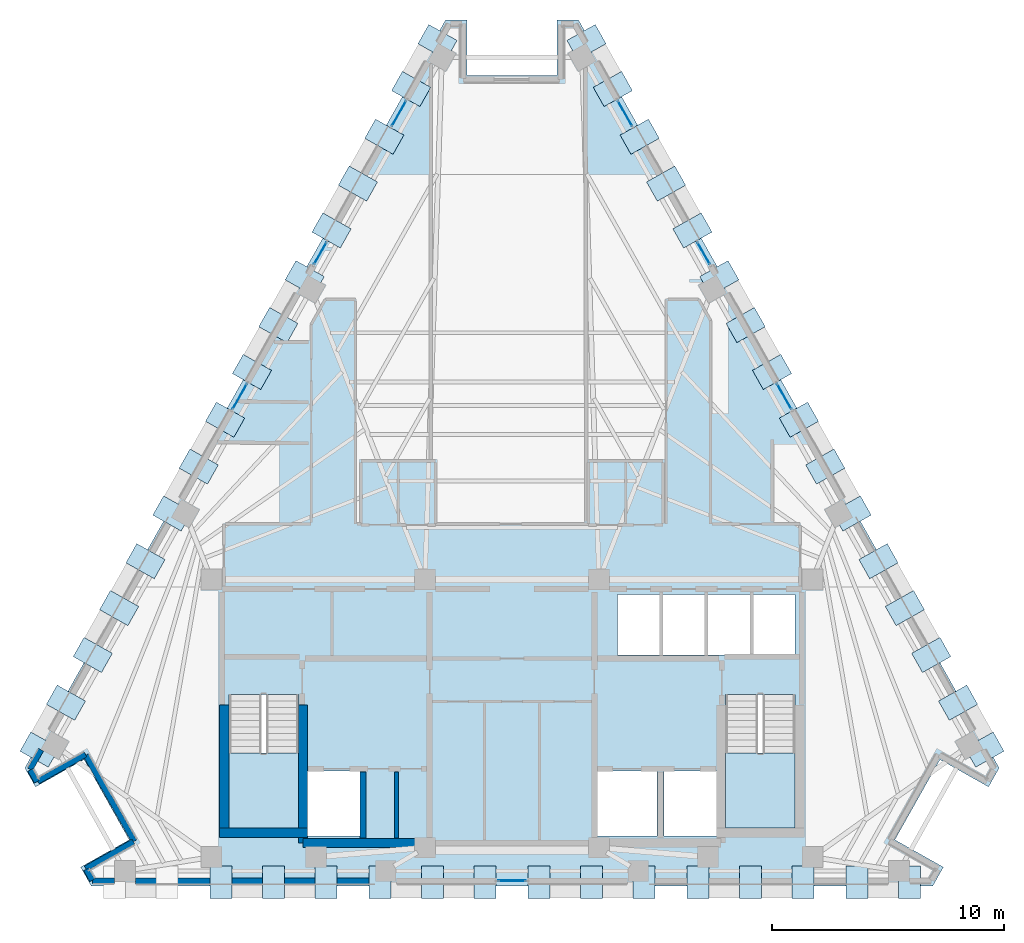
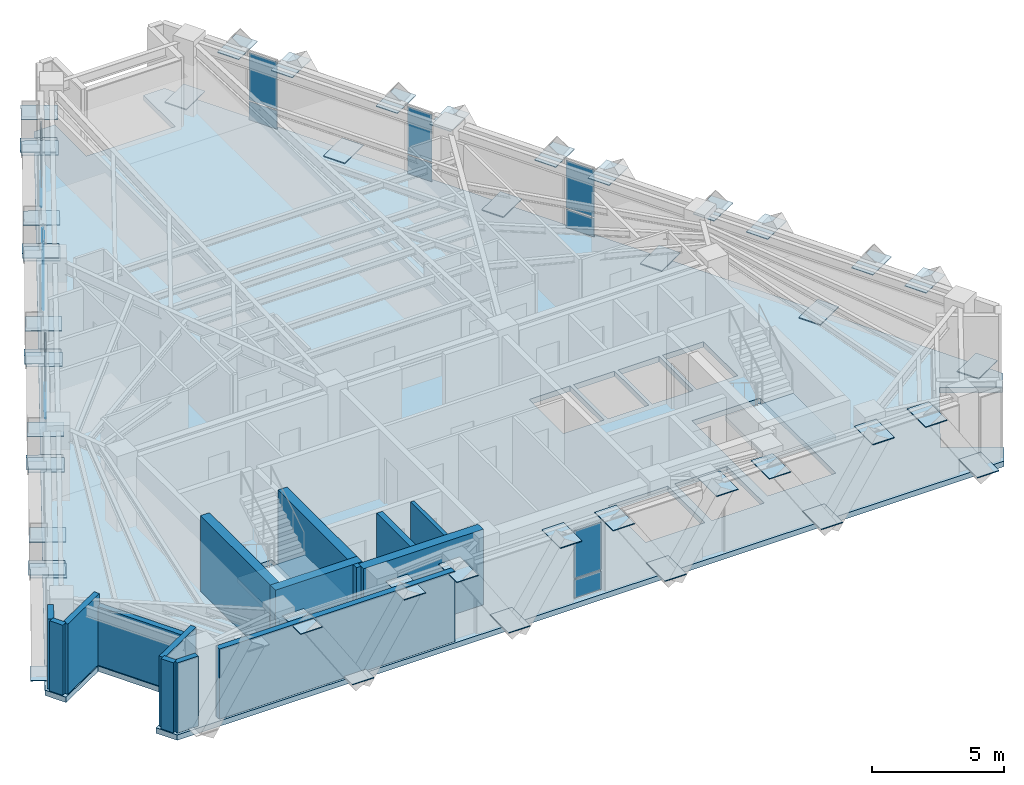
# One storey, part 6 of 12: 60 plates, 14 walls, 3 slabs, 9 elements without a shape of their own.
"""IFC4 building model written with IfcOpenShell, lengths in metres."""

from ifc_helpers import new_model, si_unit, direction, frame, frame_2d, origin, origin_2d, place, context, subcontext, project, spatial, polyline, rectangle, outline, extrude, material, layer, layer_set, type_object, element, aggregate, save


model = new_model("IFC4")

# Units and contexts
model_context = context("Model", 3, precision=1e-05, world=origin(), true_north=direction((0.0, 1.0)))
body_context = subcontext(model_context, "Body", "Model", "MODEL_VIEW")
ifc_project = project(units=[si_unit("LENGTHUNIT", "METRE"), si_unit("AREAUNIT", "SQUARE_METRE"), si_unit("VOLUMEUNIT", "CUBIC_METRE"), si_unit("PLANEANGLEUNIT", "RADIAN"), si_unit("MASSUNIT", "GRAM", prefix="KILO")], contexts=[model_context])

# Site, building, storey
site_placement = place(None, origin())
site = spatial("IfcSite", under=ifc_project, at=site_placement, CompositionType="ELEMENT")
building_placement = place(site_placement, origin())
building = spatial("IfcBuilding", under=site, at=building_placement, Name="Quenlor Broadcast Tower", CompositionType="ELEMENT")
storey_placement = place(building_placement, frame((0.0, 0.0, 200.89990234375)))
storey = spatial("IfcBuildingStorey", under=building, at=storey_placement, Name="L55", CompositionType="ELEMENT", Elevation=200.89990234375)

# Curtain wall, plates
ifc_material_1 = material(Name="Architectural Terracotta and Low-E Glazing", Category="masonry")
curtain_wall_type = type_object("IfcCurtainWallType", Name="Unitised Terracotta Curtain Wall System Z4", PredefinedType="NOTDEFINED", material=ifc_material_1)
curtain_wall_1_placement = place(storey_placement, origin())
curtain_wall_1 = element("IfcCurtainWall", 1, at=curtain_wall_1_placement, inside=storey, type_object=curtain_wall_type, Name="L55 Curtain Wall CW4 (L55-S-G1)", PredefinedType="NOTDEFINED")
ifc_material_2 = material(Name="Double Glazed Low-E Solar Glass", Category="glass")
ifc_layer_1 = layer(ifc_material_2, 0.028076171875)
ifc_layer_set_1 = layer_set([ifc_layer_1], Name="CW4 Double Glazed Vision Panel 28")
plate_type_1 = type_object("IfcPlateType", Name="CW4 Double Glazed Vision Panel 28", PredefinedType="CURTAIN_PANEL", material=ifc_layer_set_1)
plate_1_placement = place(storey_placement, frame((0.0, -17.77490234375, 0.068359375), z_axis=(0.0, 0.0, 1.0), x_axis=(-1.0, 0.0, 0.0)))
plate_1 = element("IfcPlate", 2, at=plate_1_placement, type_object=plate_type_1, Name="CW4 panel 1.1", PredefinedType="CURTAIN_PANEL", context=body_context, shape_type="SweptSolid", body=[
    extrude(rectangle(XDim=1.188720703125, YDim=0.028076171875, at=origin_2d()), origin(), (0.0, 0.0, 1.0), 0.847900390625),
])
plate_2_placement = place(storey_placement, frame((0.0, -17.77490234375, 0.98388671875), z_axis=(0.0, 0.0, 1.0), x_axis=(-1.0, 0.0, 0.0)))
plate_2 = element("IfcPlate", 3, at=plate_2_placement, type_object=plate_type_1, Name="CW4 panel 1.2", PredefinedType="CURTAIN_PANEL", context=body_context, shape_type="SweptSolid", body=[
    extrude(rectangle(XDim=1.188720703125, YDim=0.028076171875, at=origin_2d()), origin(), (0.0, 0.0, 1.0), 2.197998046875),
])
aggregate(curtain_wall_1, [plate_1, plate_2])

curtain_wall_2_placement = place(storey_placement, origin())
curtain_wall_2 = element("IfcCurtainWall", 4, at=curtain_wall_2_placement, inside=storey, type_object=curtain_wall_type, Name="L55 Curtain Wall CW4 (L55-NEA-G1)", PredefinedType="NOTDEFINED")
plate_3_placement = place(storey_placement, frame((4.87060546875, 15.281982421875, 0.068359375), z_axis=(0.0, 0.0, 1.0), x_axis=(0.490288844266, -0.871560008943, 0.0)))
plate_3 = element("IfcPlate", 5, at=plate_3_placement, type_object=plate_type_1, Name="CW4 panel 1.1", PredefinedType="CURTAIN_PANEL", context=body_context, shape_type="SweptSolid", body=[
    extrude(rectangle(XDim=1.239990234375, YDim=0.028076171875, at=origin_2d()), origin(), (0.0, 0.0, 1.0), 0.847900390625),
])
plate_4_placement = place(storey_placement, frame((4.87060546875, 15.281982421875, 0.98388671875), z_axis=(0.0, 0.0, 1.0), x_axis=(0.490288844266, -0.871560008943, 0.0)))
plate_4 = element("IfcPlate", 6, at=plate_4_placement, type_object=plate_type_1, Name="CW4 panel 1.2", PredefinedType="CURTAIN_PANEL", context=body_context, shape_type="SweptSolid", body=[
    extrude(rectangle(XDim=1.239990234375, YDim=0.028076171875, at=origin_2d()), origin(), (0.0, 0.0, 1.0), 2.197998046875),
])
aggregate(curtain_wall_2, [plate_3, plate_4])

curtain_wall_3_placement = place(storey_placement, origin())
curtain_wall_3 = element("IfcCurtainWall", 7, at=curtain_wall_3_placement, inside=storey, type_object=curtain_wall_type, Name="L55 Curtain Wall CW4 (L55-NEA-G2)", PredefinedType="NOTDEFINED")
plate_5_placement = place(storey_placement, frame((8.257080078125, 9.26171875, 0.068359375), z_axis=(0.0, 0.0, 1.0), x_axis=(0.490292850918, -0.871557755022, 0.0)))
plate_5 = element("IfcPlate", 8, at=plate_5_placement, type_object=plate_type_1, Name="CW4 panel 1.1", PredefinedType="CURTAIN_PANEL", context=body_context, shape_type="SweptSolid", body=[
    extrude(rectangle(XDim=1.0654296875, YDim=0.028076171875, at=origin_2d()), origin(), (0.0, 0.0, 1.0), 0.847900390625),
])
plate_6_placement = place(storey_placement, frame((8.257080078125, 9.26171875, 0.98388671875), z_axis=(0.0, 0.0, 1.0), x_axis=(0.490292850918, -0.871557755022, 0.0)))
plate_6 = element("IfcPlate", 9, at=plate_6_placement, type_object=plate_type_1, Name="CW4 panel 1.2", PredefinedType="CURTAIN_PANEL", context=body_context, shape_type="SweptSolid", body=[
    extrude(rectangle(XDim=1.0654296875, YDim=0.028076171875, at=origin_2d()), origin(), (0.0, 0.0, 1.0), 2.197998046875),
])
aggregate(curtain_wall_3, [plate_5, plate_6])

curtain_wall_4_placement = place(storey_placement, origin())
curtain_wall_4 = element("IfcCurtainWall", 10, at=curtain_wall_4_placement, inside=storey, type_object=curtain_wall_type, Name="L55 Curtain Wall CW4 (L55-NE-G1)", PredefinedType="NOTDEFINED")
plate_7_placement = place(storey_placement, frame((11.72900390625, 3.089599609375, 0.068359375), z_axis=(0.0, 0.0, 1.0), x_axis=(0.490288844266, -0.871560008943, 0.0)))
plate_7 = element("IfcPlate", 11, at=plate_7_placement, type_object=plate_type_1, Name="CW4 panel 1.1", PredefinedType="CURTAIN_PANEL", context=body_context, shape_type="SweptSolid", body=[
    extrude(rectangle(XDim=1.239990234375, YDim=0.028076171875, at=origin_2d()), origin(), (0.0, 0.0, 1.0), 0.847900390625),
])
plate_8_placement = place(storey_placement, frame((11.72900390625, 3.089599609375, 0.98388671875), z_axis=(0.0, 0.0, 1.0), x_axis=(0.490288844266, -0.871560008943, 0.0)))
plate_8 = element("IfcPlate", 12, at=plate_8_placement, type_object=plate_type_1, Name="CW4 panel 1.2", PredefinedType="CURTAIN_PANEL", context=body_context, shape_type="SweptSolid", body=[
    extrude(rectangle(XDim=1.239990234375, YDim=0.028076171875, at=origin_2d()), origin(), (0.0, 0.0, 1.0), 2.197998046875),
])
aggregate(curtain_wall_4, [plate_7, plate_8])

curtain_wall_5_placement = place(storey_placement, origin())
curtain_wall_5 = element("IfcCurtainWall", 13, at=curtain_wall_5_placement, inside=storey, type_object=curtain_wall_type, Name="L55 Curtain Wall CW4 (L55-NWC-G1)", PredefinedType="NOTDEFINED")
plate_9_placement = place(storey_placement, frame((-8.257080078125, 9.26171875, 0.068359375), z_axis=(0.0, 0.0, 1.0), x_axis=(0.490292850918, 0.871557755022, 0.0)))
plate_9 = element("IfcPlate", 14, at=plate_9_placement, type_object=plate_type_1, Name="CW4 panel 1.1", PredefinedType="CURTAIN_PANEL", context=body_context, shape_type="SweptSolid", body=[
    extrude(rectangle(XDim=1.0654296875, YDim=0.028076171875, at=origin_2d()), origin(), (0.0, 0.0, 1.0), 0.847900390625),
])
plate_10_placement = place(storey_placement, frame((-8.257080078125, 9.26171875, 0.98388671875), z_axis=(0.0, 0.0, 1.0), x_axis=(0.490292850918, 0.871557755022, 0.0)))
plate_10 = element("IfcPlate", 15, at=plate_10_placement, type_object=plate_type_1, Name="CW4 panel 1.2", PredefinedType="CURTAIN_PANEL", context=body_context, shape_type="SweptSolid", body=[
    extrude(rectangle(XDim=1.0654296875, YDim=0.028076171875, at=origin_2d()), origin(), (0.0, 0.0, 1.0), 2.197998046875),
])
aggregate(curtain_wall_5, [plate_9, plate_10])

curtain_wall_6_placement = place(storey_placement, origin())
curtain_wall_6 = element("IfcCurtainWall", 16, at=curtain_wall_6_placement, inside=storey, type_object=curtain_wall_type, Name="L55 Curtain Wall CW4 (L55-NWC-G2)", PredefinedType="NOTDEFINED")
plate_11_placement = place(storey_placement, frame((-4.87060546875, 15.281982421875, 0.068359375), z_axis=(0.0, 0.0, 1.0), x_axis=(0.490288844266, 0.871560008943, 0.0)))
plate_11 = element("IfcPlate", 17, at=plate_11_placement, type_object=plate_type_1, Name="CW4 panel 1.1", PredefinedType="CURTAIN_PANEL", context=body_context, shape_type="SweptSolid", body=[
    extrude(rectangle(XDim=1.239990234375, YDim=0.028076171875, at=origin_2d()), origin(), (0.0, 0.0, 1.0), 0.847900390625),
])
plate_12_placement = place(storey_placement, frame((-4.87060546875, 15.281982421875, 0.98388671875), z_axis=(0.0, 0.0, 1.0), x_axis=(0.490288844266, 0.871560008943, 0.0)))
plate_12 = element("IfcPlate", 18, at=plate_12_placement, type_object=plate_type_1, Name="CW4 panel 1.2", PredefinedType="CURTAIN_PANEL", context=body_context, shape_type="SweptSolid", body=[
    extrude(rectangle(XDim=1.239990234375, YDim=0.028076171875, at=origin_2d()), origin(), (0.0, 0.0, 1.0), 2.197998046875),
])
aggregate(curtain_wall_6, [plate_11, plate_12])

curtain_wall_7_placement = place(storey_placement, origin())
curtain_wall_7 = element("IfcCurtainWall", 19, at=curtain_wall_7_placement, inside=storey, type_object=curtain_wall_type, Name="L55 Curtain Wall CW4 (L55-NW-G1)", PredefinedType="NOTDEFINED")
plate_13_placement = place(storey_placement, frame((-11.72900390625, 3.089599609375, 0.068359375), z_axis=(0.0, 0.0, 1.0), x_axis=(0.490288844266, 0.871560008943, 0.0)))
plate_13 = element("IfcPlate", 20, at=plate_13_placement, type_object=plate_type_1, Name="CW4 panel 1.1", PredefinedType="CURTAIN_PANEL", context=body_context, shape_type="SweptSolid", body=[
    extrude(rectangle(XDim=1.239990234375, YDim=0.028076171875, at=origin_2d()), origin(), (0.0, 0.0, 1.0), 0.847900390625),
])
plate_14_placement = place(storey_placement, frame((-11.72900390625, 3.089599609375, 0.98388671875), z_axis=(0.0, 0.0, 1.0), x_axis=(0.490288844266, 0.871560008943, 0.0)))
plate_14 = element("IfcPlate", 21, at=plate_14_placement, type_object=plate_type_1, Name="CW4 panel 1.2", PredefinedType="CURTAIN_PANEL", context=body_context, shape_type="SweptSolid", body=[
    extrude(rectangle(XDim=1.239990234375, YDim=0.028076171875, at=origin_2d()), origin(), (0.0, 0.0, 1.0), 2.197998046875),
])
aggregate(curtain_wall_7, [plate_13, plate_14])

# Stair, slab
ifc_material_3 = material(Name="Precast concrete C40/50", Category="concrete")
stair_type = type_object("IfcStairType", Name="Precast Concrete C40/50 Dogleg Stair H350", PredefinedType="HALF_TURN_STAIR", material=ifc_material_3)
stair_1_placement = place(storey_placement, origin())
stair_1 = element("IfcStair", 22, at=stair_1_placement, inside=storey, type_object=stair_type, Name="L55 West Core Fire-Isolated Exit Stair ST-1", PredefinedType="HALF_TURN_STAIR")
ifc_material_4 = material(Name="Precast concrete C40/50", Category="concrete")
ifc_layer_2 = layer(ifc_material_4, 0.199951171875)
ifc_layer_set_2 = layer_set([ifc_layer_2], Name="Precast Concrete C40/50 Stair Landing Slab 200")
slab_type_1 = type_object("IfcSlabType", Name="Precast Concrete C40/50 Stair Landing Slab 200", PredefinedType="LANDING", material=ifc_layer_set_2)
slab_1_placement = place(storey_placement, frame((0.0, 0.0, 1.550048828125)))
slab_1 = element("IfcSlab", 23, at=slab_1_placement, type_object=slab_type_1, Name="ST-1 landing 1", PredefinedType="LANDING", context=body_context, shape_type="SweptSolid", body=[
    extrude(outline(polyline([(-12.199951171875, -12.27001953125), (-12.199951171875, -15.5), (-9.199951171875, -15.5), (-9.199951171875, -12.27001953125), (-12.199951171875, -12.27001953125)])), origin(), (0.0, 0.0, 1.0), 0.199951171875),
])
aggregate(stair_1, [slab_1])

stair_2_placement = place(storey_placement, origin())
stair_2 = element("IfcStair", 24, at=stair_2_placement, inside=storey, type_object=stair_type, Name="L55 East Core Fire-Isolated Exit Stair ST-2", PredefinedType="HALF_TURN_STAIR")
slab_2_placement = place(storey_placement, frame((0.0, 0.0, 1.550048828125)))
slab_2 = element("IfcSlab", 25, at=slab_2_placement, type_object=slab_type_1, Name="ST-2 landing 1", PredefinedType="LANDING", context=body_context, shape_type="SweptSolid", body=[
    extrude(outline(polyline([(9.199951171875, -12.27001953125), (9.199951171875, -15.5), (12.199951171875, -15.5), (12.199951171875, -12.27001953125), (9.199951171875, -12.27001953125)])), origin(), (0.0, 0.0, 1.0), 0.199951171875),
])
aggregate(stair_2, [slab_2])

# Slab
ifc_material_5 = material(Name="Concrete C40/50", Category="concrete")
ifc_layer_3 = layer(ifc_material_5, 0.25)
ifc_layer_set_3 = layer_set([ifc_layer_3], Name="Tower Composite Concrete C40/50 Slab 250")
slab_type_2 = type_object("IfcSlabType", Name="Tower Composite Concrete C40/50 Slab 250", PredefinedType="FLOOR", material=ifc_layer_set_3)
slab_3_placement = place(storey_placement, frame((0.0, 0.0, -0.25)))
element("IfcSlab", 26, at=slab_3_placement, inside=storey, type_object=slab_type_2, Name="L55 Structural Floor Slab", PredefinedType="FLOOR", context=body_context, shape_type="SweptSolid", body=[
    extrude(outline(polyline([(18.1259765625, -18.0), (18.583984375, -17.185791015625), (16.4921875, -16.00927734375), (18.438232421875, -12.549560546875), (20.530029296875, -13.72607421875), (20.988037109375, -12.912109375), (2.862060546875, 19.31201171875), (1.9462890625, 19.31201171875), (1.9462890625, 16.912109375), (-1.9462890625, 16.912109375), (-1.9462890625, 19.31201171875), (-2.862060546875, 19.31201171875), (-20.988037109375, -12.912109375), (-20.530029296875, -13.72607421875), (-18.438232421875, -12.549560546875), (-16.4921875, -16.00927734375), (-18.583984375, -17.185791015625), (-18.1259765625, -18.0), (18.1259765625, -18.0)]), holes=[polyline([(-12.199951171875, -9.758056640625), (-12.199951171875, -15.5), (-9.199951171875, -15.5), (-9.199951171875, -9.758056640625), (-12.199951171875, -9.758056640625)]), polyline([(9.199951171875, -9.758056640625), (9.199951171875, -15.5), (12.199951171875, -15.5), (12.199951171875, -9.758056640625), (9.199951171875, -9.758056640625)]), polyline([(4.550048828125, -8.050048828125), (6.35009765625, -8.050048828125), (6.35009765625, -5.449951171875), (4.550048828125, -5.449951171875), (4.550048828125, -8.050048828125)]), polyline([(6.5, -8.050048828125), (8.300048828125, -8.050048828125), (8.300048828125, -5.449951171875), (6.5, -5.449951171875), (6.5, -8.050048828125)]), polyline([(8.449951171875, -8.050048828125), (10.25, -8.050048828125), (10.25, -5.449951171875), (8.449951171875, -5.449951171875), (8.449951171875, -8.050048828125)]), polyline([(10.39990234375, -8.050048828125), (12.199951171875, -8.050048828125), (12.199951171875, -5.449951171875), (10.39990234375, -5.449951171875), (10.39990234375, -8.050048828125)]), polyline([(-8.85009765625, -15.85009765625), (-6.550048828125, -15.85009765625), (-6.550048828125, -13.050048828125), (-8.85009765625, -13.050048828125), (-8.85009765625, -15.85009765625)]), polyline([(6.550048828125, -15.85009765625), (8.85009765625, -15.85009765625), (8.85009765625, -13.050048828125), (6.550048828125, -13.050048828125), (6.550048828125, -15.85009765625)]), polyline([(3.64990234375, -15.85009765625), (6.25, -15.85009765625), (6.25, -13.050048828125), (3.64990234375, -13.050048828125), (3.64990234375, -15.85009765625)])]), origin(), (0.0, 0.0, 1.0), 0.25),
])

# Plates
ifc_material_6 = material(Name="Steel S355", Category="steel")
ifc_layer_4 = layer(ifc_material_6, 0.035888671875)
ifc_layer_set_4 = layer_set([ifc_layer_4], Name="Transfer Truss Steel S355 Gusset Node Plate 1400x950x36")
plate_type_2 = type_object("IfcPlateType", Name="Transfer Truss Steel S355 Gusset Node Plate 1400x950x36", PredefinedType="SHEET", material=ifc_layer_set_4)
for number, where, z_axis, x_axis, name in (
    (27, (17.1259765625, -17.8349609375, 0.0419921875), (0.0, 0.0, 1.0), (0.0, -1.0, 0.0), "L55 Lattice Tie Gusset Node S-B0"),
    (28, (14.856201171875, -17.8349609375, 3.18212890625), (0.0, 0.0, 1.0), (0.0, -1.0, 0.0), "L55 Lattice Tie Gusset Node S-T1"),
    (29, (10.275634765625, -17.8349609375, 0.0419921875), (0.0, 0.0, 1.0), (0.0, -1.0, 0.0), "L55 Lattice Tie Gusset Node S-B3"),
    (30, (12.54541015625, -17.8349609375, 3.18212890625), (0.0, 0.0, 1.0), (0.0, -1.0, 0.0), "L55 Lattice Tie Gusset Node S-T2"),
    (31, (8.005859375, -17.8349609375, 3.18212890625), (0.0, 0.0, 1.0), (0.0, -1.0, 0.0), "L55 Lattice Tie Gusset Node S-T4"),
    (32, (3.42529296875, -17.8349609375, 0.0419921875), (0.0, 0.0, 1.0), (0.0, -1.0, 0.0), "L55 Lattice Tie Gusset Node S-B6"),
    (33, (5.695068359375, -17.8349609375, 3.18212890625), (0.0, 0.0, 1.0), (0.0, -1.0, 0.0), "L55 Lattice Tie Gusset Node S-T5"),
    (34, (1.155517578125, -17.8349609375, 3.18212890625), (0.0, 0.0, 1.0), (0.0, -1.0, 0.0), "L55 Lattice Tie Gusset Node S-T7"),
    (35, (-3.42529296875, -17.8349609375, 0.0419921875), (0.0, 0.0, 1.0), (0.0, -1.0, 0.0), "L55 Lattice Tie Gusset Node S-B9"),
    (36, (-1.155517578125, -17.8349609375, 3.18212890625), (0.0, 0.0, 1.0), (0.0, -1.0, 0.0), "L55 Lattice Tie Gusset Node S-T8"),
    (37, (-5.695068359375, -17.8349609375, 3.18212890625), (0.0, 0.0, 1.0), (0.0, -1.0, 0.0), "L55 Lattice Tie Gusset Node S-T10"),
    (38, (-10.275634765625, -17.8349609375, 0.0419921875), (0.0, 0.0, 1.0), (0.0, -1.0, 0.0), "L55 Lattice Tie Gusset Node S-B12"),
    (39, (-8.005859375, -17.8349609375, 3.18212890625), (0.0, 0.0, 1.0), (0.0, -1.0, 0.0), "L55 Lattice Tie Gusset Node S-T11"),
    (40, (-12.54541015625, -17.8349609375, 3.18212890625), (0.0, 0.0, 1.0), (0.0, -1.0, 0.0), "L55 Lattice Tie Gusset Node S-T13"),
    (41, (3.20849609375, 18.359619140625, 0.0419921875), (0.0, 0.0, 1.0), (0.871556314255, 0.490295412055, 0.0), "L55 Lattice Tie Gusset Node NE-B0"),
    (42, (4.344482421875, 16.339599609375, 3.18212890625), (0.0, 0.0, 1.0), (0.871556314255, 0.490295412055, 0.0), "L55 Lattice Tie Gusset Node NE-T1"),
    (43, (6.6376953125, 12.263427734375, 0.0419921875), (0.0, 0.0, 1.0), (0.871556314255, 0.490295412055, 0.0), "L55 Lattice Tie Gusset Node NE-B3"),
    (44, (5.50146484375, 14.283203125, 3.18212890625), (0.0, 0.0, 1.0), (0.871556314255, 0.490295412055, 0.0), "L55 Lattice Tie Gusset Node NE-T2"),
    (45, (7.773681640625, 10.243408203125, 3.18212890625), (0.0, 0.0, 1.0), (0.871556314255, 0.490295412055, 0.0), "L55 Lattice Tie Gusset Node NE-T4"),
    (46, (10.066650390625, 6.167236328125, 0.0419921875), (0.0, 0.0, 1.0), (0.871556314255, 0.490295412055, 0.0), "L55 Lattice Tie Gusset Node NE-B6"),
    (47, (8.930419921875, 8.18701171875, 3.18212890625), (0.0, 0.0, 1.0), (0.871556314255, 0.490295412055, 0.0), "L55 Lattice Tie Gusset Node NE-T5"),
    (48, (11.202880859375, 4.147216796875, 3.18212890625), (0.0, 0.0, 1.0), (0.871556314255, 0.490295412055, 0.0), "L55 Lattice Tie Gusset Node NE-T7"),
    (49, (13.49560546875, 0.071044921875, 0.0419921875), (0.0, 0.0, 1.0), (0.871556314255, 0.490295412055, 0.0), "L55 Lattice Tie Gusset Node NE-B9"),
    (50, (12.359619140625, 2.0908203125, 3.18212890625), (0.0, 0.0, 1.0), (0.871556314255, 0.490295412055, 0.0), "L55 Lattice Tie Gusset Node NE-T8"),
    (51, (14.6318359375, -1.94873046875, 3.18212890625), (0.0, 0.0, 1.0), (0.871556314255, 0.490295412055, 0.0), "L55 Lattice Tie Gusset Node NE-T10"),
    (52, (16.9248046875, -6.025146484375, 0.0419921875), (0.0, 0.0, 1.0), (0.871556314255, 0.490295412055, 0.0), "L55 Lattice Tie Gusset Node NE-B12"),
    (53, (15.788818359375, -4.00537109375, 3.18212890625), (0.0, 0.0, 1.0), (0.871556314255, 0.490295412055, 0.0), "L55 Lattice Tie Gusset Node NE-T11"),
    (54, (18.06103515625, -8.044921875, 3.18212890625), (0.0, 0.0, 1.0), (0.871556314255, 0.490295412055, 0.0), "L55 Lattice Tie Gusset Node NE-T13"),
    (55, (20.35400390625, -12.121337890625, 0.0419921875), (0.0, 0.0, 1.0), (0.871556314255, 0.490295412055, 0.0), "L55 Lattice Tie Gusset Node NE-B15"),
    (56, (19.2177734375, -10.101318359375, 3.18212890625), (0.0, 0.0, 1.0), (0.871556314255, 0.490295412055, 0.0), "L55 Lattice Tie Gusset Node NE-T14"),
    (57, (-20.35400390625, -12.121337890625, 0.0419921875), (0.0, 0.0, 1.0), (-0.871556314255, 0.490295412055, 0.0), "L55 Lattice Tie Gusset Node NW-B0"),
    (58, (-19.2177734375, -10.101318359375, 3.18212890625), (0.0, 0.0, 1.0), (-0.871556314255, 0.490295412055, 0.0), "L55 Lattice Tie Gusset Node NW-T1"),
    (59, (-16.9248046875, -6.025146484375, 0.0419921875), (0.0, 0.0, 1.0), (-0.871556314255, 0.490295412055, 0.0), "L55 Lattice Tie Gusset Node NW-B3"),
    (60, (-18.06103515625, -8.044921875, 3.18212890625), (0.0, 0.0, 1.0), (-0.871556314255, 0.490295412055, 0.0), "L55 Lattice Tie Gusset Node NW-T2"),
    (61, (-15.788818359375, -4.00537109375, 3.18212890625), (0.0, 0.0, 1.0), (-0.871556314255, 0.490295412055, 0.0), "L55 Lattice Tie Gusset Node NW-T4"),
    (62, (-13.49560546875, 0.071044921875, 0.0419921875), (0.0, 0.0, 1.0), (-0.871556314255, 0.490295412055, 0.0), "L55 Lattice Tie Gusset Node NW-B6"),
    (63, (-14.6318359375, -1.94873046875, 3.18212890625), (0.0, 0.0, 1.0), (-0.871556314255, 0.490295412055, 0.0), "L55 Lattice Tie Gusset Node NW-T5"),
    (64, (-12.359619140625, 2.0908203125, 3.18212890625), (0.0, 0.0, 1.0), (-0.871556314255, 0.490295412055, 0.0), "L55 Lattice Tie Gusset Node NW-T7"),
    (65, (-10.066650390625, 6.167236328125, 0.0419921875), (0.0, 0.0, 1.0), (-0.871556314255, 0.490295412055, 0.0), "L55 Lattice Tie Gusset Node NW-B9"),
    (66, (-11.202880859375, 4.147216796875, 3.18212890625), (0.0, 0.0, 1.0), (-0.871556314255, 0.490295412055, 0.0), "L55 Lattice Tie Gusset Node NW-T8"),
    (67, (-8.930419921875, 8.18701171875, 3.18212890625), (0.0, 0.0, 1.0), (-0.871556314255, 0.490295412055, 0.0), "L55 Lattice Tie Gusset Node NW-T10"),
    (68, (-6.6376953125, 12.263427734375, 0.0419921875), (0.0, 0.0, 1.0), (-0.871556314255, 0.490295412055, 0.0), "L55 Lattice Tie Gusset Node NW-B12"),
    (69, (-7.773681640625, 10.243408203125, 3.18212890625), (0.0, 0.0, 1.0), (-0.871556314255, 0.490295412055, 0.0), "L55 Lattice Tie Gusset Node NW-T11"),
    (70, (-5.50146484375, 14.283203125, 3.18212890625), (0.0, 0.0, 1.0), (-0.871556314255, 0.490295412055, 0.0), "L55 Lattice Tie Gusset Node NW-T13"),
    (71, (-3.20849609375, 18.359619140625, 0.0419921875), (0.0, 0.0, 1.0), (-0.871556314255, 0.490295412055, 0.0), "L55 Lattice Tie Gusset Node NW-B15"),
    (72, (-4.344482421875, 16.339599609375, 3.18212890625), (0.0, 0.0, 1.0), (-0.871556314255, 0.490295412055, 0.0), "L55 Lattice Tie Gusset Node NW-T14"),
):
    element("IfcPlate", number, at=place(storey_placement, frame(where, z_axis=z_axis, x_axis=x_axis)), inside=storey, type_object=plate_type_2, Name=name, PredefinedType="SHEET", context=body_context, shape_type="SweptSolid", body=[
        extrude(rectangle(XDim=1.39990234375, YDim=0.949951171875, at=origin_2d()), origin(), (0.0, 0.0, 1.0), 0.035888671875),
    ])

# Walls
ifc_material_7 = material(Name="Concrete C50/60", Category="concrete")
ifc_layer_5 = layer(ifc_material_7, 0.39990234375)
ifc_layer_set_5 = layer_set([ifc_layer_5], Name="Core Concrete C50/60 Shear Wall 400")
wall_type_1 = type_object("IfcWallType", Name="Core Concrete C50/60 Shear Wall 400", PredefinedType="SHEAR", material=ifc_layer_set_5)
wall_1_placement = place(storey_placement, frame((-12.60009765625, -15.699951171875, 0.0), z_axis=(0.0, 0.0, 1.0), x_axis=(1.0, 0.0, 0.0)))
element("IfcWall", 73, at=wall_1_placement, inside=storey, type_object=wall_type_1, Name="L55 Core Shear Wall WS-W1", PredefinedType="SHEAR", context=body_context, shape_type="SweptSolid", body=[
    extrude(rectangle(XDim=3.800048828125, YDim=0.39990234375, at=frame_2d((1.89990234375, 0.0))), origin(), (0.0, 0.0, 1.0), 3.5),
])
wall_2_placement = place(storey_placement, frame((-9.0, -16.14990234375, 0.0), z_axis=(0.0, 0.0, 1.0), x_axis=(1.0, 0.0, 0.0)))
element("IfcWall", 74, at=wall_2_placement, inside=storey, type_object=wall_type_1, Name="L55 Core Shear Wall WS-W2", PredefinedType="SHEAR", context=body_context, shape_type="SweptSolid", body=[
    extrude(rectangle(XDim=5.25, YDim=0.39990234375, at=frame_2d((2.625, 0.0))), origin(), (0.0, 0.0, 1.0), 3.5),
])
wall_3_placement = place(storey_placement, frame((-12.39990234375, -15.699951171875, 0.0), z_axis=(0.0, 0.0, 1.0), x_axis=(0.0, 1.0, 0.0)))
element("IfcWall", 75, at=wall_3_placement, inside=storey, type_object=wall_type_1, Name="L55 Core Shear Wall WF-W", PredefinedType="SHEAR", context=body_context, shape_type="SweptSolid", body=[
    extrude(rectangle(XDim=5.5, YDim=0.39990234375, at=frame_2d((2.75, 0.0))), origin(), (0.0, 0.0, 1.0), 3.5),
])
wall_4_placement = place(storey_placement, frame((-9.0, -16.14990234375, 0.0), z_axis=(0.0, 0.0, 1.0), x_axis=(0.0, 1.0, 0.0)))
element("IfcWall", 76, at=wall_4_placement, inside=storey, type_object=wall_type_1, Name="L55 Core Shear Wall WI-W", PredefinedType="SHEAR", context=body_context, shape_type="SweptSolid", body=[
    extrude(rectangle(XDim=5.949951171875, YDim=0.39990234375, at=frame_2d((2.97509765625, 0.0))), origin(), (0.0, 0.0, 1.0), 3.5),
])
ifc_material_8 = material(Name="Concrete C40/50", Category="concrete")
ifc_layer_6 = layer(ifc_material_8, 0.25)
ifc_layer_set_6 = layer_set([ifc_layer_6], Name="Fire Rated Concrete C40/50 Core Wall 250")
wall_type_2 = type_object("IfcWallType", Name="Fire Rated Concrete C40/50 Core Wall 250", PredefinedType="PARTITIONING", material=ifc_layer_set_6)
wall_5_placement = place(storey_placement, frame((-6.419921875, -15.919921875, 0.0), z_axis=(0.0, 0.0, 1.0), x_axis=(0.0, 1.0, 0.0)))
element("IfcWall", 77, at=wall_5_placement, inside=storey, type_object=wall_type_2, Name="L55 Interior Wall CW-FF1-E", PredefinedType="PARTITIONING", context=body_context, shape_type="SweptSolid", body=[
    extrude(rectangle(XDim=2.829833984375, YDim=0.25, at=frame_2d((1.4150390625, 0.0))), origin(), (0.0, 0.0, 1.0), 3.25),
])
ifc_material_9 = material(Name="Gypsum Fireboard Partition", Category="other")
ifc_layer_7 = layer(ifc_material_9, 0.159912109375)
ifc_layer_set_7 = layer_set([ifc_layer_7], Name="Fire Rated Shaft and Corridor Partition 160")
wall_type_3 = type_object("IfcWallType", Name="Fire Rated Shaft and Corridor Partition 160", PredefinedType="PARTITIONING", material=ifc_layer_set_7)
wall_6_placement = place(storey_placement, frame((-4.97998046875, -15.919921875, 0.0), z_axis=(0.0, 0.0, 1.0), x_axis=(0.0, 1.0, 0.0)))
element("IfcWall", 78, at=wall_6_placement, inside=storey, type_object=wall_type_3, Name="L55 Interior Wall CW-ELR-E", PredefinedType="PARTITIONING", context=body_context, shape_type="SweptSolid", body=[
    extrude(rectangle(XDim=2.829833984375, YDim=0.159912109375, at=frame_2d((1.4150390625, 0.0))), origin(), (0.0, 0.0, 1.0), 3.25),
])
ifc_material_10 = material(Name="Precast concrete C40/50", Category="concrete")
ifc_layer_8 = layer(ifc_material_10, 0.239990234375)
ifc_layer_set_8 = layer_set([ifc_layer_8], Name="Terrace Threshold Precast Concrete C40/50 Wall 240")
wall_type_4 = type_object("IfcWallType", Name="Terrace Threshold Precast Concrete C40/50 Wall 240", PredefinedType="STANDARD", material=ifc_layer_set_8)
wall_7_placement = place(storey_placement, frame((-17.130859375, -17.77490234375, 0.0), z_axis=(0.0, 0.0, 1.0), x_axis=(-1.0, 0.0, 0.0)))
element("IfcWall", 79, at=wall_7_placement, inside=storey, type_object=wall_type_4, Name="L55 Exterior Wall L55-SHD-SS1", PredefinedType="STANDARD", context=body_context, shape_type="SweptSolid", body=[
    extrude(rectangle(XDim=0.93505859375, YDim=0.239990234375, at=frame_2d((0.467529296875, 0.0))), origin(), (0.0, 0.0, 1.0), 3.25),
])
wall_8_placement = place(storey_placement, frame((-20.762451171875, -12.969970703125, 0.0), z_axis=(0.0, 0.0, 1.0), x_axis=(0.490345412687, 0.87152818443, 0.0)))
element("IfcWall", 80, at=wall_8_placement, inside=storey, type_object=wall_type_4, Name="L55 Exterior Wall L55-SHD-NWS0", PredefinedType="STANDARD", context=body_context, shape_type="SweptSolid", body=[
    extrude(rectangle(XDim=0.9638671875, YDim=0.239990234375, at=frame_2d((0.48193359375, 0.0))), origin(), (0.0, 0.0, 1.0), 3.25),
])
wall_9_placement = place(storey_placement, frame((-20.75537109375, -12.999267578125, 0.0), z_axis=(0.0, 0.0, 1.0), x_axis=(0.490320776404, -0.871542045014, 0.0)))
element("IfcWall", 81, at=wall_9_placement, inside=storey, type_object=wall_type_4, Name="L55 Exterior Wall L55-CNR-12", PredefinedType="STANDARD", context=body_context, shape_type="SweptSolid", body=[
    extrude(rectangle(XDim=0.583984375, YDim=0.239990234375, at=frame_2d((0.2919921875, 0.0))), origin(), (0.0, 0.0, 1.0), 3.25),
])
wall_10_placement = place(storey_placement, frame((-20.43408203125, -13.488525390625, 0.0), z_axis=(0.0, 0.0, 1.0), x_axis=(0.871578299909, 0.490256327984, 0.0)))
element("IfcWall", 82, at=wall_10_placement, inside=storey, type_object=wall_type_4, Name="L55 Exterior Wall L55-CNR-13", PredefinedType="STANDARD", context=body_context, shape_type="SweptSolid", body=[
    extrude(rectangle(XDim=2.35986328125, YDim=0.239990234375, at=frame_2d((1.179931640625, 0.0))), origin(), (0.0, 0.0, 1.0), 3.25),
])
wall_11_placement = place(storey_placement, frame((-18.357666015625, -12.366455078125, 0.0), z_axis=(0.0, 0.0, 1.0), x_axis=(0.49027487746, -0.871567865706, 0.0)))
element("IfcWall", 83, at=wall_11_placement, inside=storey, type_object=wall_type_4, Name="L55 Exterior Wall L55-CNR-14", PredefinedType="STANDARD", context=body_context, shape_type="SweptSolid", body=[
    extrude(rectangle(XDim=4.249755859375, YDim=0.239990234375, at=frame_2d((2.125, 0.0))), origin(), (0.0, 0.0, 1.0), 2.721923828125),
])
wall_12_placement = place(storey_placement, frame((-16.30908203125, -16.08984375, 0.0), z_axis=(0.0, 0.0, 1.0), x_axis=(-0.871578299909, -0.490256327984, 0.0)))
element("IfcWall", 84, at=wall_12_placement, inside=storey, type_object=wall_type_4, Name="L55 Exterior Wall L55-CNR-15", PredefinedType="STANDARD", context=body_context, shape_type="SweptSolid", body=[
    extrude(rectangle(XDim=2.35986328125, YDim=0.239990234375, at=frame_2d((1.179931640625, 0.0))), origin(), (0.0, 0.0, 1.0), 3.25),
])
wall_13_placement = place(storey_placement, frame((-18.346435546875, -17.28173828125, 0.0), z_axis=(0.0, 0.0, 1.0), x_axis=(0.49038986747, -0.87150317147, 0.0)))
element("IfcWall", 85, at=wall_13_placement, inside=storey, type_object=wall_type_4, Name="L55 Exterior Wall L55-CNR-16", PredefinedType="STANDARD", context=body_context, shape_type="SweptSolid", body=[
    extrude(rectangle(XDim=0.540771484375, YDim=0.239990234375, at=frame_2d((0.2705078125, 0.0))), origin(), (0.0, 0.0, 1.0), 3.25),
])
ifc_material_11 = material(Name="Precast concrete C40/50", Category="concrete")
ifc_layer_9 = layer(ifc_material_11, 0.260009765625)
ifc_layer_set_9 = layer_set([ifc_layer_9], Name="Terracotta Precast Concrete C40/50 Upper Wall 260")
wall_type_5 = type_object("IfcWallType", Name="Terracotta Precast Concrete C40/50 Upper Wall 260", PredefinedType="STANDARD", material=ifc_layer_set_9)
wall_14_placement = place(storey_placement, frame((-5.892822265625, -17.77490234375, 0.0), z_axis=(0.0, 0.0, 1.0), x_axis=(-1.0, 0.0, 0.0)))
element("IfcWall", 86, at=wall_14_placement, inside=storey, type_object=wall_type_5, Name="L55 Exterior Wall L55-EW-SC", PredefinedType="STANDARD", context=body_context, shape_type="SweptSolid", body=[
    extrude(rectangle(XDim=10.328125, YDim=0.260009765625, at=frame_2d((5.1640625, 0.0))), origin(), (0.0, 0.0, 1.0), 3.25),
])

save(model, "model.ifc")
